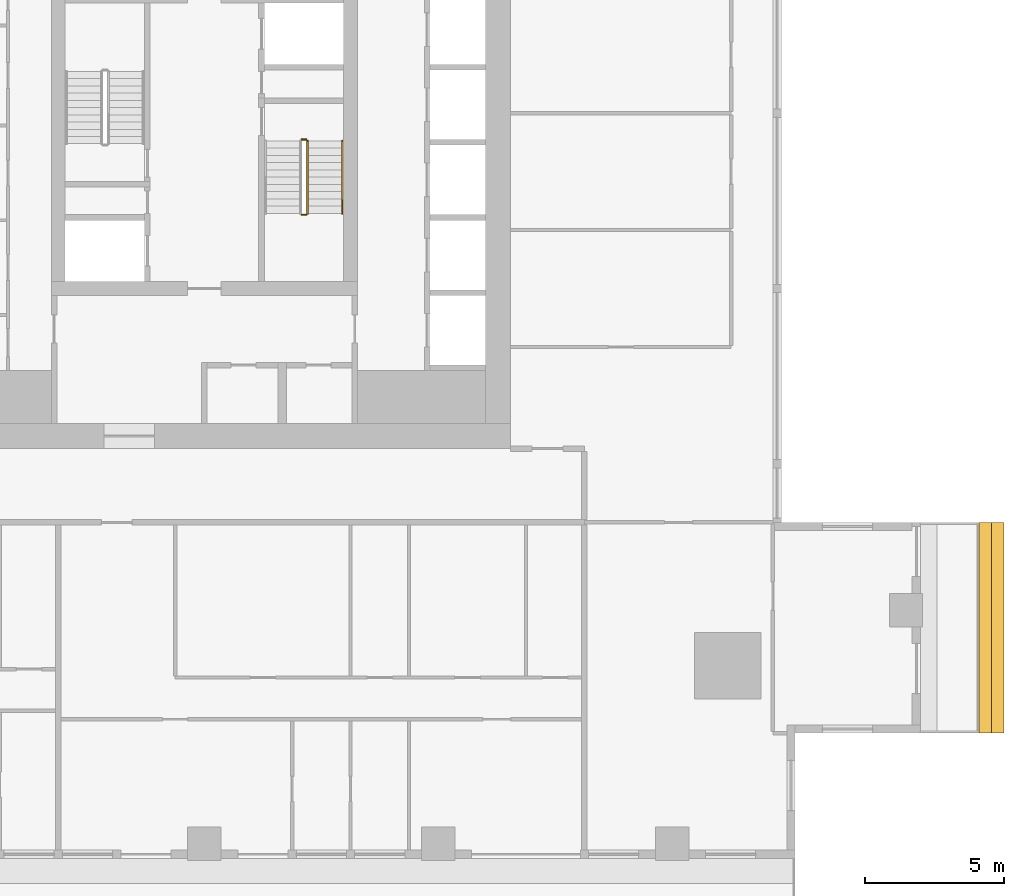
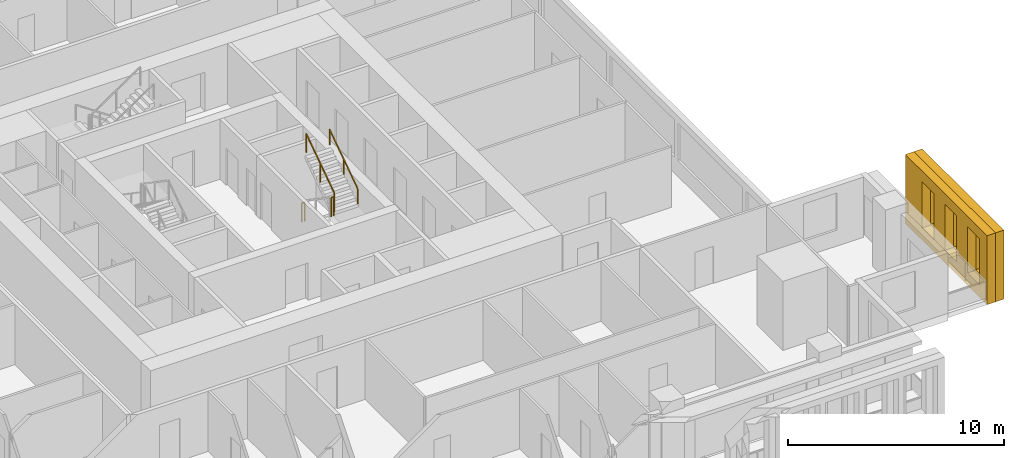
# One storey, part 13 of 15: 4 railings, 2 shading devices.
"""IFC4 building model written with IfcOpenShell, lengths in metres."""

from ifc_helpers import new_model, si_unit, direction, frame, origin, origin_2d, place, context, subcontext, project, spatial, polyline, rectangle, outline, extrude, material, type_object, element, save


model = new_model("IFC4")

# Units and contexts
model_context = context("Model", 3, precision=1e-05, world=origin(), true_north=direction((0.0, 1.0)))
body_context = subcontext(model_context, "Body", "Model", "MODEL_VIEW")
ifc_project = project(units=[si_unit("LENGTHUNIT", "METRE"), si_unit("AREAUNIT", "SQUARE_METRE"), si_unit("VOLUMEUNIT", "CUBIC_METRE"), si_unit("PLANEANGLEUNIT", "RADIAN"), si_unit("MASSUNIT", "GRAM", prefix="KILO")], contexts=[model_context])

# Site, building, storey
site_placement = place(None, origin())
site = spatial("IfcSite", under=ifc_project, at=site_placement, CompositionType="ELEMENT")
building_placement = place(site_placement, origin())
building = spatial("IfcBuilding", under=site, at=building_placement, Name="Khepri Terraces", CompositionType="ELEMENT")
storey_placement = place(building_placement, frame((0.0, 0.0, 231.300048828125)))
storey = spatial("IfcBuildingStorey", under=building, at=storey_placement, Name="L55", CompositionType="ELEMENT", Elevation=231.300048828125)

# Railings
ifc_material_1 = material(Name="Stainless steel 316", Category="steel")
railing_type_1 = type_object("IfcRailingType", Name="RL-CORE-GUARD", PredefinedType="GUARDRAIL", material=ifc_material_1)
railing_1_placement = place(storey_placement, frame((3.5, -2.60009765625, 1.949951171875)))
element("IfcRailing", 1, at=railing_1_placement, inside=storey, type_object=railing_type_1, Name="L55 ST-2 stair guard 2", PredefinedType="GUARDRAIL", context=body_context, shape_type="SweptSolid", body=[
    extrude(rectangle(XDim=0.050048828125, YDim=0.06005859375, at=origin_2d()), frame((0.0, 0.0, 1.070068359375), z_axis=(1.0, 0.0, 0.0), x_axis=(0.0, 1.0, 0.0)), (0.0, 0.0, 1.0), 0.14990234375),
    extrude(rectangle(XDim=0.050048828125, YDim=0.050048828125, at=origin_2d()), origin(), (0.0, 0.0, 1.0), 1.0400390625),
    extrude(rectangle(XDim=0.050048828125, YDim=0.050048828125, at=origin_2d()), frame((0.14990234375, 0.0, 0.0)), (0.0, 0.0, 1.0), 1.0400390625),
])
railing_2_placement = place(storey_placement, frame((3.699951171875, -2.550048828125, 2.127197265625)))
element("IfcRailing", 2, at=railing_2_placement, inside=storey, type_object=railing_type_1, Name="L55 ST-2 stair guard 3", PredefinedType="GUARDRAIL", context=body_context, shape_type="SweptSolid", body=[
    extrude(rectangle(XDim=0.050048828125, YDim=0.06005859375, at=origin_2d()), frame((0.0, 0.0, 1.070068359375), z_axis=(0.0, 0.826240473404, 0.563317565952), x_axis=(-1.0, 0.0, 0.0)), (0.0, 0.0, 1.0), 3.14697265625),
    extrude(rectangle(XDim=0.050048828125, YDim=0.050048828125, at=origin_2d()), origin(), (0.0, 0.0, 1.0), 1.0400390625),
    extrude(rectangle(XDim=0.050048828125, YDim=0.050048828125, at=origin_2d()), frame((0.0, 1.300048828125, 0.88623046875)), (0.0, 0.0, 1.0), 1.0400390625),
    extrude(rectangle(XDim=0.050048828125, YDim=0.050048828125, at=origin_2d()), frame((0.0, 2.60009765625, 1.772705078125)), (0.0, 0.0, 1.0), 1.0400390625),
])
railing_3_placement = place(storey_placement, frame((3.5, 0.10009765625, 0.0)))
element("IfcRailing", 3, at=railing_3_placement, inside=storey, type_object=railing_type_1, Name="L55 ST-2 stair guard 4", PredefinedType="GUARDRAIL", context=body_context, shape_type="SweptSolid", body=[
    extrude(rectangle(XDim=0.050048828125, YDim=0.06005859375, at=origin_2d()), frame((0.0, 0.0, 1.070068359375), z_axis=(1.0, 0.0, 0.0), x_axis=(0.0, 1.0, 0.0)), (0.0, 0.0, 1.0), 0.14990234375),
    extrude(rectangle(XDim=0.050048828125, YDim=0.050048828125, at=origin_2d()), origin(), (0.0, 0.0, 1.0), 1.0400390625),
    extrude(rectangle(XDim=0.050048828125, YDim=0.050048828125, at=origin_2d()), frame((0.14990234375, 0.0, 0.0)), (0.0, 0.0, 1.0), 1.0400390625),
])
railing_type_2 = type_object("IfcRailingType", Name="RL-CORE-HANDRAIL", PredefinedType="HANDRAIL", material=ifc_material_1)
railing_4_placement = place(storey_placement, frame((4.949951171875, -2.550048828125, 2.127197265625)))
element("IfcRailing", 4, at=railing_4_placement, inside=storey, type_object=railing_type_2, Name="L55 ST-2 stair handrail 2", PredefinedType="HANDRAIL", context=body_context, shape_type="SweptSolid", body=[
    extrude(rectangle(XDim=0.050048828125, YDim=0.050048828125, at=origin_2d()), frame((0.0, 0.0, 0.875), z_axis=(0.0, 0.826240473404, 0.563317565952), x_axis=(-1.0, 0.0, 0.0)), (0.0, 0.0, 1.0), 3.14697265625),
    extrude(rectangle(XDim=0.050048828125, YDim=0.050048828125, at=origin_2d()), origin(), (0.0, 0.0, 1.0), 0.849853515625),
    extrude(rectangle(XDim=0.050048828125, YDim=0.050048828125, at=origin_2d()), frame((0.0, 1.300048828125, 0.88623046875)), (0.0, 0.0, 1.0), 0.849853515625),
    extrude(rectangle(XDim=0.050048828125, YDim=0.050048828125, at=origin_2d()), frame((0.0, 2.60009765625, 1.772705078125)), (0.0, 0.0, 1.0), 0.849853515625),
])

# Shading devices
ifc_material_2 = material(Name="Precast concrete C50/60 warm stone", Category="masonry")
shading_device_type_1 = type_object("IfcShadingDeviceType", Name="SCR-CELL-INNER-450", PredefinedType="USERDEFINED", material=ifc_material_2)
shading_device_1_placement = place(storey_placement, frame((27.820068359375, -21.219970703125, -0.25), z_axis=(1.0, 0.0, 0.0), x_axis=(0.0, 1.0, 0.0)))
element("IfcShadingDevice", 5, at=shading_device_1_placement, inside=storey, type_object=shading_device_type_1, Name="Cell screen L55 E in", ObjectType="SCREEN", PredefinedType="USERDEFINED", context=body_context, shape_type="SweptSolid", body=[
    extrude(outline(polyline([(0.0, 0.0), (7.570068359375, 0.0), (7.570068359375, 3.89990234375), (0.0, 3.89990234375), (0.0, 0.0)]), holes=[polyline([(0.7265625, 0.699951171875), (1.8134765625, 0.699951171875), (1.8134765625, 3.300048828125), (0.7265625, 3.300048828125), (0.7265625, 0.699951171875)]), polyline([(2.82666015625, 0.699951171875), (3.913330078125, 0.699951171875), (3.913330078125, 3.300048828125), (2.82666015625, 3.300048828125), (2.82666015625, 0.699951171875)]), polyline([(4.926513671875, 0.699951171875), (6.013427734375, 0.699951171875), (6.013427734375, 3.300048828125), (4.926513671875, 3.300048828125), (4.926513671875, 0.699951171875)])]), origin(), (0.0, 0.0, 1.0), 0.449951171875),
])
shading_device_type_2 = type_object("IfcShadingDeviceType", Name="SCR-CELL-OUTER-450", PredefinedType="USERDEFINED", material=ifc_material_2)
shading_device_2_placement = place(storey_placement, frame((28.27001953125, -21.219970703125, -0.25), z_axis=(1.0, 0.0, 0.0), x_axis=(0.0, 1.0, 0.0)))
element("IfcShadingDevice", 6, at=shading_device_2_placement, inside=storey, type_object=shading_device_type_2, Name="Cell screen L55 E out", ObjectType="SCREEN", PredefinedType="USERDEFINED", context=body_context, shape_type="SweptSolid", body=[
    extrude(outline(polyline([(0.0, 0.0), (7.570068359375, 0.0), (7.570068359375, 3.89990234375), (0.0, 3.89990234375), (0.0, 0.0)]), holes=[polyline([(0.376708984375, 0.449951171875), (2.163330078125, 0.449951171875), (2.163330078125, 3.550048828125), (0.376708984375, 3.550048828125), (0.376708984375, 0.449951171875)]), polyline([(2.4765625, 0.449951171875), (4.263427734375, 0.449951171875), (4.263427734375, 3.550048828125), (2.4765625, 3.550048828125), (2.4765625, 0.449951171875)]), polyline([(4.57666015625, 0.449951171875), (6.36328125, 0.449951171875), (6.36328125, 3.550048828125), (4.57666015625, 3.550048828125), (4.57666015625, 0.449951171875)])]), origin(), (0.0, 0.0, 1.0), 0.449951171875),
])

save(model, "model.ifc")
